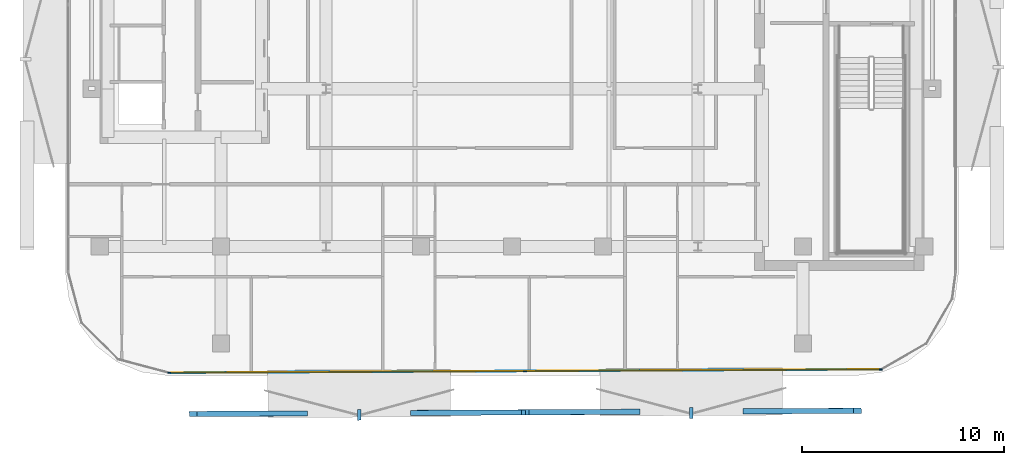
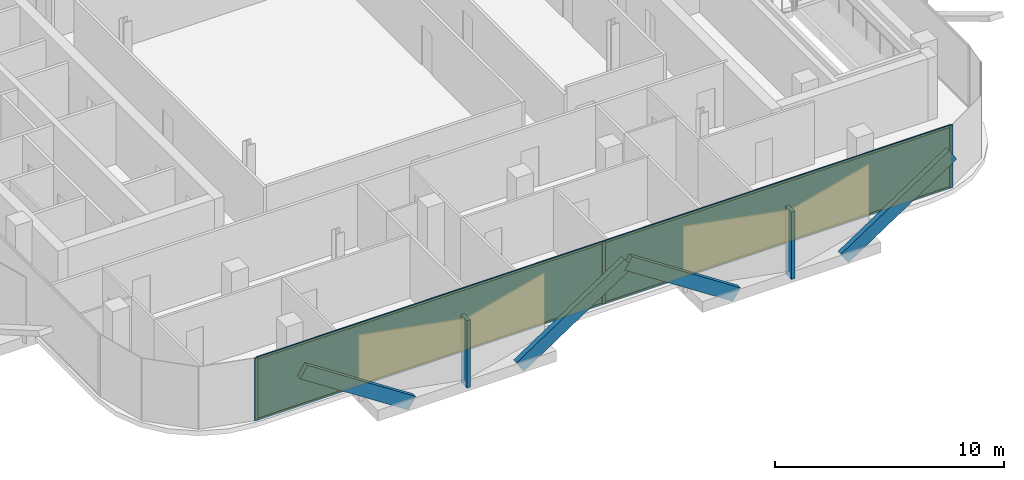
# One storey, part 8 of 15: 13 members, 2 plates, 1 curtain wall.
"""IFC4 building model written with IfcOpenShell, lengths in metres."""

import ifcopenshell
import ifcopenshell.guid

model = None  # the IFC model being written
_history = None  # IfcOwnerHistory: only IFC2X3 demands one
_inside = {}  # id of a spatial element -> (the spatial element, [elements in it])
_under = {}  # id of a project, library or spatial element -> (it, [spatial elements below it])
_declared = {}  # id of a project -> (the project, [libraries it declares])
_typed = {}  # id of a type object -> (the type object, [elements of that type])
_made_of = {}  # id of a material, layer set ... -> (it, [elements and type objects made of it])


def new_model(schema):
    """Start an empty IFC model of exactly this schema.

    Asked for "IFC4X3", IfcOpenShell would pick the latest addendum, in which some entities
    have other attributes; the version numbers below select the first issue.
    IFC2X3 requires an IfcOwnerHistory on every rooted entity: one is made here for all.
    """
    global model, _history
    if schema == "IFC4X3":
        model = ifcopenshell.file(schema_version=(4, 3, 0, 0))
    else:
        model = ifcopenshell.file(schema=schema)
    _inside.clear()
    _under.clear()
    _declared.clear()
    _typed.clear()
    _made_of.clear()
    _history = None
    if model.schema == "IFC2X3":
        org = make("IfcOrganization", Name="unknown")
        user = make(
            "IfcPersonAndOrganization",
            ThePerson=make("IfcPerson", FamilyName="unknown"),
            TheOrganization=org,
        )
        app = make(
            "IfcApplication",
            ApplicationDeveloper=org,
            Version="unknown",
            ApplicationFullName="unknown",
            ApplicationIdentifier="unknown",
        )
        _history = make(
            "IfcOwnerHistory",
            OwningUser=user,
            OwningApplication=app,
            ChangeAction="ADDED",
            CreationDate=0,
        )
    return model


def make(cls, **values):
    """One entity of the class cls with the attributes given. An attribute that is None is left unset."""
    return model.create_entity(
        cls, **{name: value for name, value in values.items() if value is not None}
    )


def rooted(cls, **values):
    """An entity with a GlobalId (a new one), such as an element, a storey or a relation."""
    return make(cls, GlobalId=ifcopenshell.guid.new(), OwnerHistory=_history, **values)


def si_unit(unit_type, name, prefix=None):
    """IfcSIUnit, for example si_unit("LENGTHUNIT", "METRE", prefix="MILLI")."""
    return make("IfcSIUnit", UnitType=unit_type, Prefix=prefix, Name=name)


def assignment(units):
    """IfcUnitAssignment: the units of a project."""
    return None if units is None else make("IfcUnitAssignment", Units=units)


def point(xyz):
    """IfcCartesianPoint."""
    return None if xyz is None else make("IfcCartesianPoint", Coordinates=xyz)


def direction(xyz):
    """IfcDirection."""
    return None if xyz is None else make("IfcDirection", DirectionRatios=xyz)


def frame(location, z_axis=None, x_axis=None):
    """IfcAxis2Placement3D, a coordinate frame: its origin and axes. An axis left out is left unset."""
    return make(
        "IfcAxis2Placement3D",
        Location=point(location),
        Axis=direction(z_axis),
        RefDirection=direction(x_axis),
    )


def frame_2d(location, x_axis=None):
    """IfcAxis2Placement2D, a coordinate frame in the plane: its origin and x axis."""
    return make(
        "IfcAxis2Placement2D", Location=point(location), RefDirection=direction(x_axis)
    )


def origin():
    """The frame at (0, 0, 0) with its axes left unset."""
    return frame((0.0, 0.0, 0.0))


def origin_2d():
    """The frame at (0, 0) in the plane with its x axis left unset."""
    return frame_2d((0.0, 0.0))


def place(relative_to, where):
    """IfcLocalPlacement: puts the frame where relative to a parent placement (None: the world)."""
    return make(
        "IfcLocalPlacement", PlacementRelTo=relative_to, RelativePlacement=where
    )


def context(
    kind, dimensions, precision=None, world=None, true_north=None, identifier=None
):
    """IfcGeometricRepresentationContext, for example the 3D "Model" context."""
    return make(
        "IfcGeometricRepresentationContext",
        ContextIdentifier=identifier,
        ContextType=kind,
        CoordinateSpaceDimension=dimensions,
        Precision=precision,
        WorldCoordinateSystem=world,
        TrueNorth=true_north,
    )


def subcontext(parent, identifier, kind, view, scale=None):
    """IfcGeometricRepresentationSubContext, for example "Body" below "Model"."""
    return make(
        "IfcGeometricRepresentationSubContext",
        ContextIdentifier=identifier,
        ContextType=kind,
        ParentContext=parent,
        TargetScale=scale,
        TargetView=view,
    )


def project(units=None, contexts=None):
    """IfcProject with its units and contexts."""
    return rooted(
        "IfcProject",
        Name="project",
        RepresentationContexts=contexts,
        UnitsInContext=assignment(units),
    )


def spatial(cls, under=None, at=None, **own):
    """A site, building, storey or space (cls), placed at a placement, below another one or the project."""
    s = rooted(cls, ObjectPlacement=at, **own)
    if under is not None:
        _under.setdefault(under.id(), (under, []))[1].append(s)
    return s


def profile(cls, at=None, kind="AREA", **sizes):
    """A parametric profile (cls). Its sizes go by their IFC names, for example OverallWidth=200.0."""
    return make(cls, ProfileType=kind, Position=at, **sizes)


def rectangle(**sizes):
    """IfcRectangleProfileDef."""
    return profile("IfcRectangleProfileDef", **sizes)


def extrude(swept, where, along, depth):
    """IfcExtrudedAreaSolid: the profile swept, set in the frame where, extruded along a direction by depth."""
    return make(
        "IfcExtrudedAreaSolid",
        SweptArea=swept,
        Position=where,
        ExtrudedDirection=direction(along),
        Depth=depth,
    )


def shape(context_of_items, identifier, shape_type, items):
    """IfcShapeRepresentation: the items that make up one representation, for example the "Body"."""
    return make(
        "IfcShapeRepresentation",
        ContextOfItems=context_of_items,
        RepresentationIdentifier=identifier,
        RepresentationType=shape_type,
        Items=items,
    )


def material(Name=None, Category=None):
    """IfcMaterial."""
    return make("IfcMaterial", Name=Name, Category=Category)


def layer(
    of_material, thickness, ventilated=None, Name=None, Category=None, Priority=None
):
    """IfcMaterialLayer: one layer of a wall or slab, of a material (None: an air gap)."""
    return make(
        "IfcMaterialLayer",
        Material=of_material,
        LayerThickness=thickness,
        IsVentilated=ventilated,
        Name=Name,
        Category=Category,
        Priority=Priority,
    )


def layer_set(layers, Name=None):
    """IfcMaterialLayerSet."""
    return make("IfcMaterialLayerSet", MaterialLayers=layers, LayerSetName=Name)


def material_profile(
    of_material, cross_section, Name=None, Category=None, Priority=None
):
    """IfcMaterialProfile: a cross section and its material."""
    return make(
        "IfcMaterialProfile",
        Name=Name,
        Material=of_material,
        Profile=cross_section,
        Priority=Priority,
        Category=Category,
    )


def profile_set(profiles, Name=None, composite=None):
    """IfcMaterialProfileSet."""
    return make(
        "IfcMaterialProfileSet",
        Name=Name,
        MaterialProfiles=profiles,
        CompositeProfile=composite,
    )


def made_of(thing, what):
    """Note that an element or type object is made of a material, layer set ...; save() writes the relation."""
    if what is not None:
        _made_of.setdefault(what.id(), (what, []))[1].append(thing)
    return thing


def type_object(cls, material=None, **own):
    """A type object (cls), such as IfcWallType, which elements share."""
    return made_of(rooted(cls, **own), material)


def element(
    cls,
    number,
    at=None,
    inside=None,
    cuts=None,
    type_object=None,
    material=None,
    context=None,
    identifier="Body",
    shape_type=None,
    held_by="IfcProductDefinitionShape",
    body=None,
    shapes=None,
    **own,
):
    """One element of the class cls, such as IfcWall. Its Tag is "e" and its number.

    at: its placement. inside: the storey or other place that contains it. cuts: it is an
    opening in that element (IfcRelVoidsElement). A single representation is given by context,
    identifier, shape_type and body (its items); several are given by shapes. held_by: the class
    of the entity that holds the representations. save() writes the other relations.
    """
    e = rooted(cls, Tag="e%d" % number, ObjectPlacement=at, **own)
    if body is not None:
        shapes = [shape(context, identifier, shape_type, body)]
    if shapes is not None:
        e.Representation = make(held_by, Representations=shapes)
    if inside is not None:
        _inside.setdefault(inside.id(), (inside, []))[1].append(e)
    if cuts is not None:
        rooted(
            "IfcRelVoidsElement", RelatingBuildingElement=cuts, RelatedOpeningElement=e
        )
    if type_object is not None:
        _typed.setdefault(type_object.id(), (type_object, []))[1].append(e)
    return made_of(e, material)


def aggregate(whole, parts):
    """IfcRelAggregates: a whole, such as a stair, and the parts it consists of."""
    return rooted("IfcRelAggregates", RelatingObject=whole, RelatedObjects=parts)


def save(model, path):
    """Write the relations noted so far, then the file.

    IfcRelAggregates (storeys below a building ...), IfcRelContainedInSpatialStructure (elements
    in a storey), IfcRelDefinesByType, IfcRelAssociatesMaterial and IfcRelDeclares: one each for
    every whole, place, type object, material and project.
    """
    for whole, parts in _under.values():
        aggregate(whole, parts)
    for where, things in _inside.values():
        rooted(
            "IfcRelContainedInSpatialStructure",
            RelatedElements=things,
            RelatingStructure=where,
        )
    for kind, things in _typed.values():
        rooted("IfcRelDefinesByType", RelatedObjects=things, RelatingType=kind)
    for what, things in _made_of.values():
        rooted("IfcRelAssociatesMaterial", RelatedObjects=things, RelatingMaterial=what)
    for by, libraries in _declared.values():
        rooted("IfcRelDeclares", RelatingContext=by, RelatedDefinitions=libraries)
    model.write(path)


model = new_model("IFC4")

# Units and contexts
model_context = context("Model", 3, precision=1e-05, world=origin(), true_north=direction((0.0, 1.0)))
body_context = subcontext(model_context, "Body", "Model", "MODEL_VIEW")
ifc_project = project(units=[si_unit("LENGTHUNIT", "METRE"), si_unit("AREAUNIT", "SQUARE_METRE"), si_unit("VOLUMEUNIT", "CUBIC_METRE"), si_unit("PLANEANGLEUNIT", "RADIAN"), si_unit("MASSUNIT", "GRAM", prefix="KILO")], contexts=[model_context])

# Member
ifc_material_1 = material(Name="Anodised Bronze Aluminium 6063-T6", Category="aluminium")
ifc_material_profile_1 = material_profile(ifc_material_1, rectangle(XDim=0.260009765625, YDim=0.699951171875, at=origin_2d()))
ifc_profile_set_1 = profile_set([ifc_material_profile_1], Name="Anodised Bronze Aluminium 6063-T6")
member_type_1 = type_object("IfcMemberType", Name="Bronze Diamond Solar-Screen Lattice Rib BDL-700", PredefinedType="MULLION", material=ifc_profile_set_1)
site_placement = place(None, origin())
building_placement = place(site_placement, origin())
storey_placement = place(building_placement, frame((0.0, 0.0, 251.199951171875)))
member_1_placement = place(storey_placement, frame((6.13525390625, -26.788330078125, -0.1298828125), z_axis=(-0.835743029646, -0.004059174326, 0.549105737997), x_axis=(-0.007540243864, 0.999963231165, -0.004084242836)))
member_1 = element("IfcMember", 1, at=member_1_placement, type_object=member_type_1, Name="L59 Bronze Diamond Solar Screen Lattice Rib 401A", PredefinedType="MULLION", context=body_context, shape_type="SweptSolid", body=[
    extrude(rectangle(XDim=0.260009765625, YDim=0.699951171875, at=origin_2d()), origin(), (0.0, 0.0, 1.0), 6.555908203125),
])

member_2_placement = place(storey_placement, frame((11.6142578125, -26.761962890625, -0.1298828125), z_axis=(0.835754384021, 0.004021809628, 0.549088731114), x_axis=(0.007495389703, -0.99996356816, -0.00408429744)))
member_2 = element("IfcMember", 2, at=member_2_placement, type_object=member_type_1, Name="L59 Bronze Diamond Solar Screen Lattice Rib 401B", PredefinedType="MULLION", context=body_context, shape_type="SweptSolid", body=[
    extrude(rectangle(XDim=0.260009765625, YDim=0.699951171875, at=origin_2d()), origin(), (0.0, 0.0, 1.0), 6.55615234375),
])

member_3_placement = place(storey_placement, frame((-10.302001953125, -26.86767578125, -0.1298828125), z_axis=(-0.835743029646, -0.004059174326, 0.549105737997), x_axis=(-0.007540243864, 0.999963231165, -0.004084242836)))
member_3 = element("IfcMember", 3, at=member_3_placement, type_object=member_type_1, Name="L59 Bronze Diamond Solar Screen Lattice Rib 402A", PredefinedType="MULLION", context=body_context, shape_type="SweptSolid", body=[
    extrude(rectangle(XDim=0.260009765625, YDim=0.699951171875, at=origin_2d()), origin(), (0.0, 0.0, 1.0), 6.555908203125),
])

member_4_placement = place(storey_placement, frame((-4.822998046875, -26.84130859375, -0.1298828125), z_axis=(0.835754384021, 0.004021809628, 0.549088731114), x_axis=(0.007495389703, -0.99996356816, -0.00408429744)))
member_4 = element("IfcMember", 4, at=member_4_placement, type_object=member_type_1, Name="L59 Bronze Diamond Solar Screen Lattice Rib 402B", PredefinedType="MULLION", context=body_context, shape_type="SweptSolid", body=[
    extrude(rectangle(XDim=0.260009765625, YDim=0.699951171875, at=origin_2d()), origin(), (0.0, 0.0, 1.0), 6.55615234375),
])

ifc_material_2 = material(Name="Anodised Bronze Aluminium 6063-T6", Category="aluminium")
ifc_material_profile_2 = material_profile(ifc_material_2, rectangle(XDim=0.179931640625, YDim=0.5400390625, at=origin_2d()))
ifc_profile_set_2 = profile_set([ifc_material_profile_2], Name="Anodised Bronze Aluminium 6063-T6")
member_type_2 = type_object("IfcMemberType", Name="Bronze Solar-Screen Vertical Fold Fin BSF-540", PredefinedType="MULLION", material=ifc_profile_set_2)
member_5_placement = place(storey_placement, frame((8.875244140625, -26.855224609375, -0.1298828125), z_axis=(0.0, 0.0, 1.0), x_axis=(-0.999988059021, -0.004886902454, 0.0)))
member_5 = element("IfcMember", 5, at=member_5_placement, type_object=member_type_2, Name="L59 Bronze Solar Screen Vertical Fin 401", PredefinedType="MULLION", context=body_context, shape_type="SweptSolid", body=[
    extrude(rectangle(XDim=0.179931640625, YDim=0.5400390625, at=origin_2d()), origin(), (0.0, 0.0, 1.0), 3.599853515625),
])

member_6_placement = place(storey_placement, frame((-7.56201171875, -26.9345703125, -0.1298828125), z_axis=(0.0, 0.0, 1.0), x_axis=(-0.999988059021, -0.004886902454, 0.0)))
member_6 = element("IfcMember", 6, at=member_6_placement, type_object=member_type_2, Name="L59 Bronze Solar Screen Vertical Fin 402", PredefinedType="MULLION", context=body_context, shape_type="SweptSolid", body=[
    extrude(rectangle(XDim=0.179931640625, YDim=0.5400390625, at=origin_2d()), origin(), (0.0, 0.0, 1.0), 3.599853515625),
])

ifc_material_3 = material(Name="Anodised Bronze Aluminium 6063-T6", Category="aluminium")
ifc_material_profile_3 = material_profile(ifc_material_3, rectangle(XDim=0.06005859375, YDim=0.159912109375, at=origin_2d()))
ifc_profile_set_3 = profile_set([ifc_material_profile_3], Name="Anodised Bronze Aluminium 6063-T6")
member_type_3 = type_object("IfcMemberType", Name="CW-Z4 Mullion 60x160", PredefinedType="MULLION", material=ifc_profile_set_3)
member_7_placement = place(storey_placement, frame((18.25341796875, -24.68994140625, 0.0), z_axis=(0.0, 0.0, 1.0), x_axis=(0.004824986425, -0.999988359685, 0.0)))
member_7 = element("IfcMember", 7, at=member_7_placement, type_object=member_type_3, Name="CW-Z4 mullion 1", PredefinedType="MULLION", context=body_context, shape_type="SweptSolid", body=[
    extrude(rectangle(XDim=0.06005859375, YDim=0.159912109375, at=origin_2d()), origin(), (0.0, 0.0, 1.0), 3.340087890625),
])

member_8_placement = place(storey_placement, frame((0.646240234375, -24.77490234375, 0.0), z_axis=(0.0, 0.0, 1.0), x_axis=(0.004824986425, -0.999988359685, 0.0)))
member_8 = element("IfcMember", 8, at=member_8_placement, type_object=member_type_3, Name="CW-Z4 mullion 2", PredefinedType="MULLION", context=body_context, shape_type="SweptSolid", body=[
    extrude(rectangle(XDim=0.06005859375, YDim=0.159912109375, at=origin_2d()), origin(), (0.0, 0.0, 1.0), 3.340087890625),
])

member_9_placement = place(storey_placement, frame((-16.960693359375, -24.85986328125, 0.0), z_axis=(0.0, 0.0, 1.0), x_axis=(0.004824986425, -0.999988359685, 0.0)))
member_9 = element("IfcMember", 9, at=member_9_placement, type_object=member_type_3, Name="CW-Z4 mullion 3", PredefinedType="MULLION", context=body_context, shape_type="SweptSolid", body=[
    extrude(rectangle(XDim=0.06005859375, YDim=0.159912109375, at=origin_2d()), origin(), (0.0, 0.0, 1.0), 3.340087890625),
])

ifc_material_4 = material(Name="Anodised Bronze Aluminium 6063-T6", Category="aluminium")
ifc_material_profile_4 = material_profile(ifc_material_4, rectangle(XDim=0.06005859375, YDim=0.125, at=origin_2d()))
ifc_profile_set_4 = profile_set([ifc_material_profile_4], Name="Anodised Bronze Aluminium 6063-T6")
member_type_4 = type_object("IfcMemberType", Name="CW-Z4 Transom 60x125", PredefinedType="USERDEFINED", material=ifc_profile_set_4)
member_10_placement = place(storey_placement, frame((18.223388671875, -24.690185546875, 0.030029296875), z_axis=(-0.999988412677, -0.004813991218, 0.0), x_axis=(0.004813991218, -0.999988412677, 0.0)))
member_10 = element("IfcMember", 10, at=member_10_placement, type_object=member_type_4, Name="CW-Z4 transom 1.1", ObjectType="TRANSOM", PredefinedType="USERDEFINED", context=body_context, shape_type="SweptSolid", body=[
    extrude(rectangle(XDim=0.06005859375, YDim=0.125, at=origin_2d()), origin(), (0.0, 0.0, 1.0), 17.54736328125),
])

member_11_placement = place(storey_placement, frame((18.223388671875, -24.690185546875, 3.31005859375), z_axis=(-0.999988412677, -0.004813991218, 0.0), x_axis=(0.004813991218, -0.999988412677, 0.0)))
member_11 = element("IfcMember", 11, at=member_11_placement, type_object=member_type_4, Name="CW-Z4 transom 1.2", ObjectType="TRANSOM", PredefinedType="USERDEFINED", context=body_context, shape_type="SweptSolid", body=[
    extrude(rectangle(XDim=0.06005859375, YDim=0.125, at=origin_2d()), origin(), (0.0, 0.0, 1.0), 17.54736328125),
])

member_12_placement = place(storey_placement, frame((0.616455078125, -24.775146484375, 0.030029296875), z_axis=(-0.999988413, -0.004813924241, 0.0), x_axis=(0.004813924241, -0.999988413, 0.0)))
member_12 = element("IfcMember", 12, at=member_12_placement, type_object=member_type_4, Name="CW-Z4 transom 2.1", ObjectType="TRANSOM", PredefinedType="USERDEFINED", context=body_context, shape_type="SweptSolid", body=[
    extrude(rectangle(XDim=0.06005859375, YDim=0.125, at=origin_2d()), origin(), (0.0, 0.0, 1.0), 17.547607421875),
])

member_13_placement = place(storey_placement, frame((0.616455078125, -24.775146484375, 3.31005859375), z_axis=(-0.999988413, -0.004813924241, 0.0), x_axis=(0.004813924241, -0.999988413, 0.0)))
member_13 = element("IfcMember", 13, at=member_13_placement, type_object=member_type_4, Name="CW-Z4 transom 2.2", ObjectType="TRANSOM", PredefinedType="USERDEFINED", context=body_context, shape_type="SweptSolid", body=[
    extrude(rectangle(XDim=0.06005859375, YDim=0.125, at=origin_2d()), origin(), (0.0, 0.0, 1.0), 17.547607421875),
])

# Plate
ifc_material_5 = material(Name="Low-E Solar Control Laminated Glass", Category="glass")
ifc_layer_1 = layer(ifc_material_5, 0.030029296875, Name="Low-E Solar Control Laminated Glass")
ifc_layer_set_1 = layer_set([ifc_layer_1], Name="Low-E Solar Control Laminated Glass")
plate_type = type_object("IfcPlateType", Name="CW-Z4 Low-E Double Glazed Panel 30mm", PredefinedType="CURTAIN_PANEL", material=ifc_layer_set_1)
plate_1_placement = place(storey_placement, frame((9.449951171875, -24.732421875, 0.06005859375), z_axis=(0.0, 0.0, 1.0), x_axis=(-0.999988359685, -0.004824986425, 0.0)))
plate_1 = element("IfcPlate", 14, at=plate_1_placement, type_object=plate_type, Name="CW-Z4 panel 1.1", PredefinedType="CURTAIN_PANEL", context=body_context, shape_type="SweptSolid", body=[
    extrude(rectangle(XDim=17.54736328125, YDim=0.030029296875, at=origin_2d()), origin(), (0.0, 0.0, 1.0), 3.219970703125),
])

plate_2_placement = place(storey_placement, frame((-8.1572265625, -24.8173828125, 0.06005859375), z_axis=(0.0, 0.0, 1.0), x_axis=(-0.999988359685, -0.004824986425, 0.0)))
plate_2 = element("IfcPlate", 15, at=plate_2_placement, type_object=plate_type, Name="CW-Z4 panel 2.1", PredefinedType="CURTAIN_PANEL", context=body_context, shape_type="SweptSolid", body=[
    extrude(rectangle(XDim=17.54736328125, YDim=0.030029296875, at=origin_2d()), origin(), (0.0, 0.0, 1.0), 3.219970703125),
])

# Site, building, storey
site = spatial("IfcSite", under=ifc_project, at=site_placement, CompositionType="ELEMENT")
building = spatial("IfcBuilding", under=site, at=building_placement, Name="Khairoan Windgate Tower", CompositionType="ELEMENT")
storey = spatial("IfcBuildingStorey", under=building, at=storey_placement, Name="L59", CompositionType="ELEMENT", Elevation=251.199951171875)

# Curtain wall
ifc_material_6 = material(Name="Anodised Bronze Aluminium 6063-T6", Category="aluminium")
ifc_layer_2 = layer(ifc_material_6, 0.159912109375, Name="Anodised Bronze Aluminium 6063-T6")
ifc_layer_set_2 = layer_set([ifc_layer_2], Name="Anodised Bronze Aluminium 6063-T6")
curtain_wall_type = type_object("IfcCurtainWallType", Name="Sky Residence Unitised Curtain Wall CW-Z4", PredefinedType="NOTDEFINED", material=ifc_layer_set_2)
curtain_wall_placement = place(storey_placement, frame((18.283447265625, -24.689697265625, 0.0), z_axis=(0.0, 0.0, 1.0), x_axis=(-0.999988330836, -0.004830961808, 0.0)))
curtain_wall = element("IfcCurtainWall", 16, at=curtain_wall_placement, inside=storey, type_object=curtain_wall_type, Name="L59 Unitised Curtain Wall 1", PredefinedType="NOTDEFINED", context=body_context, shape_type="SweptSolid", body=[
    extrude(rectangle(XDim=35.274658203125, YDim=0.010009765625, at=frame_2d((17.63720703125, 0.0))), origin(), (0.0, 0.0, 1.0), 3.340087890625),
])

aggregate(curtain_wall, [member_7, member_8, member_9, member_10, member_11, plate_1, member_12, member_13, plate_2, member_1, member_2, member_5, member_3, member_4, member_6])

save(model, "model.ifc")
